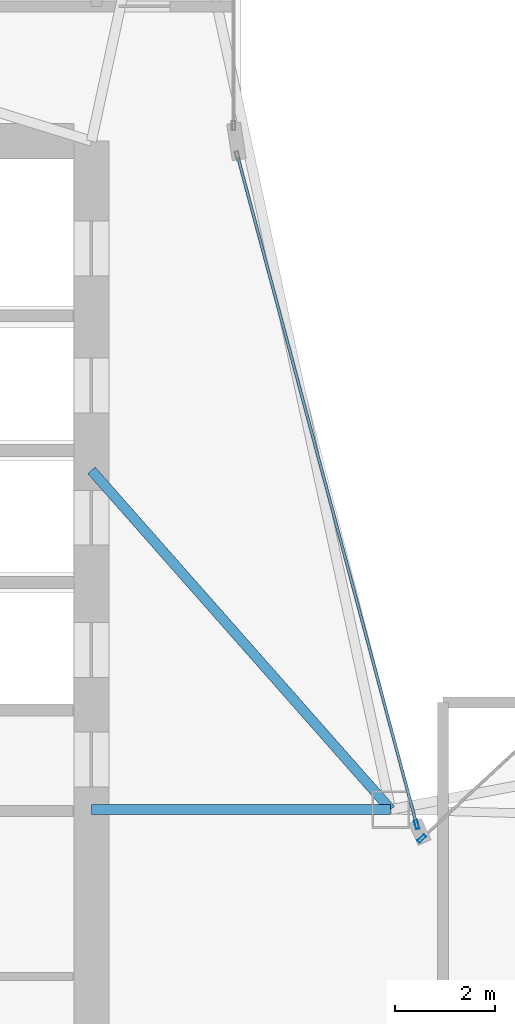
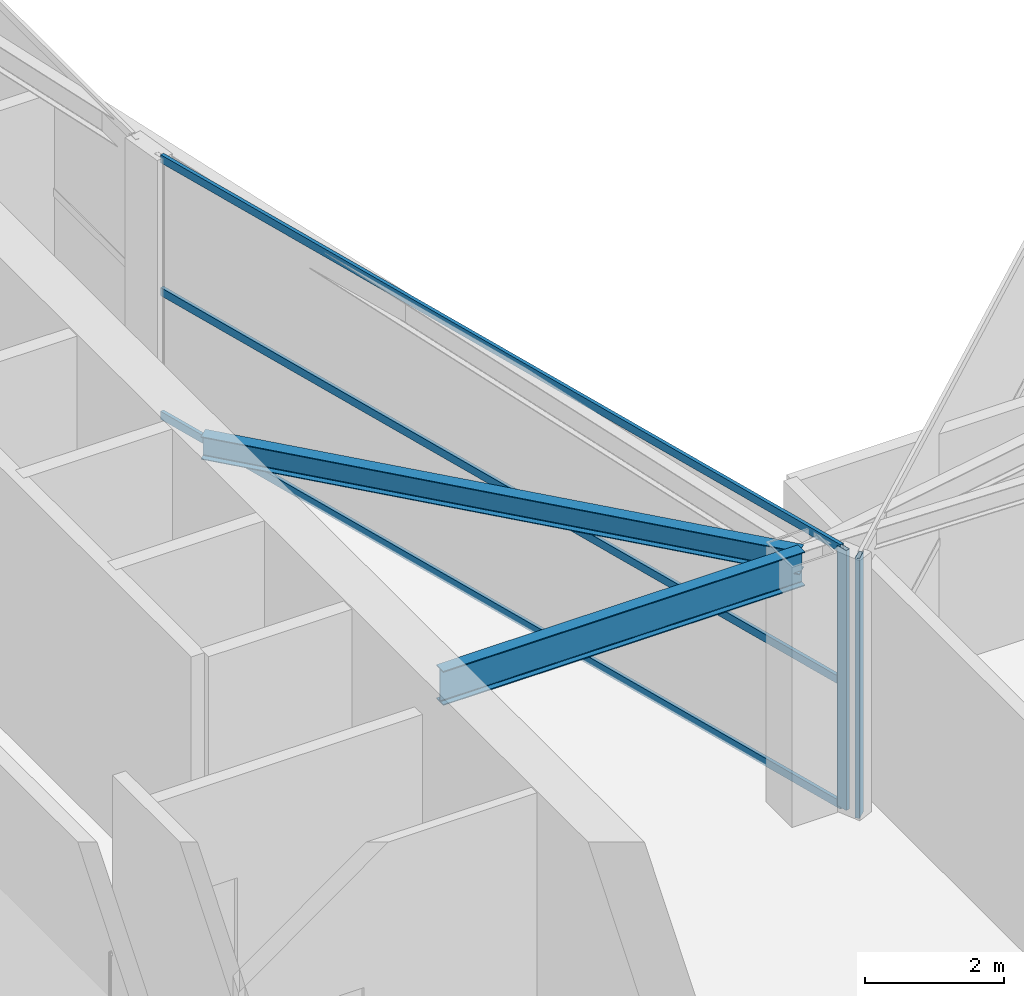
# One storey, part 2 of 16: 5 members, 2 beams, 2 elements without a shape of their own.
"""IFC4 building model written with IfcOpenShell, lengths in metres."""

import ifcopenshell
import ifcopenshell.guid

model = None  # the IFC model being written
_history = None  # IfcOwnerHistory: only IFC2X3 demands one
_inside = {}  # id of a spatial element -> (the spatial element, [elements in it])
_under = {}  # id of a project, library or spatial element -> (it, [spatial elements below it])
_declared = {}  # id of a project -> (the project, [libraries it declares])
_typed = {}  # id of a type object -> (the type object, [elements of that type])
_made_of = {}  # id of a material, layer set ... -> (it, [elements and type objects made of it])


def new_model(schema):
    """Start an empty IFC model of exactly this schema.

    Asked for "IFC4X3", IfcOpenShell would pick the latest addendum, in which some entities
    have other attributes; the version numbers below select the first issue.
    IFC2X3 requires an IfcOwnerHistory on every rooted entity: one is made here for all.
    """
    global model, _history
    if schema == "IFC4X3":
        model = ifcopenshell.file(schema_version=(4, 3, 0, 0))
    else:
        model = ifcopenshell.file(schema=schema)
    _inside.clear()
    _under.clear()
    _declared.clear()
    _typed.clear()
    _made_of.clear()
    _history = None
    if model.schema == "IFC2X3":
        org = make("IfcOrganization", Name="unknown")
        user = make(
            "IfcPersonAndOrganization",
            ThePerson=make("IfcPerson", FamilyName="unknown"),
            TheOrganization=org,
        )
        app = make(
            "IfcApplication",
            ApplicationDeveloper=org,
            Version="unknown",
            ApplicationFullName="unknown",
            ApplicationIdentifier="unknown",
        )
        _history = make(
            "IfcOwnerHistory",
            OwningUser=user,
            OwningApplication=app,
            ChangeAction="ADDED",
            CreationDate=0,
        )
    return model


def make(cls, **values):
    """One entity of the class cls with the attributes given. An attribute that is None is left unset."""
    return model.create_entity(
        cls, **{name: value for name, value in values.items() if value is not None}
    )


def rooted(cls, **values):
    """An entity with a GlobalId (a new one), such as an element, a storey or a relation."""
    return make(cls, GlobalId=ifcopenshell.guid.new(), OwnerHistory=_history, **values)


def si_unit(unit_type, name, prefix=None):
    """IfcSIUnit, for example si_unit("LENGTHUNIT", "METRE", prefix="MILLI")."""
    return make("IfcSIUnit", UnitType=unit_type, Prefix=prefix, Name=name)


def assignment(units):
    """IfcUnitAssignment: the units of a project."""
    return None if units is None else make("IfcUnitAssignment", Units=units)


def point(xyz):
    """IfcCartesianPoint."""
    return None if xyz is None else make("IfcCartesianPoint", Coordinates=xyz)


def direction(xyz):
    """IfcDirection."""
    return None if xyz is None else make("IfcDirection", DirectionRatios=xyz)


def frame(location, z_axis=None, x_axis=None):
    """IfcAxis2Placement3D, a coordinate frame: its origin and axes. An axis left out is left unset."""
    return make(
        "IfcAxis2Placement3D",
        Location=point(location),
        Axis=direction(z_axis),
        RefDirection=direction(x_axis),
    )


def frame_2d(location, x_axis=None):
    """IfcAxis2Placement2D, a coordinate frame in the plane: its origin and x axis."""
    return make(
        "IfcAxis2Placement2D", Location=point(location), RefDirection=direction(x_axis)
    )


def origin():
    """The frame at (0, 0, 0) with its axes left unset."""
    return frame((0.0, 0.0, 0.0))


def origin_2d():
    """The frame at (0, 0) in the plane with its x axis left unset."""
    return frame_2d((0.0, 0.0))


def place(relative_to, where):
    """IfcLocalPlacement: puts the frame where relative to a parent placement (None: the world)."""
    return make(
        "IfcLocalPlacement", PlacementRelTo=relative_to, RelativePlacement=where
    )


def context(
    kind, dimensions, precision=None, world=None, true_north=None, identifier=None
):
    """IfcGeometricRepresentationContext, for example the 3D "Model" context."""
    return make(
        "IfcGeometricRepresentationContext",
        ContextIdentifier=identifier,
        ContextType=kind,
        CoordinateSpaceDimension=dimensions,
        Precision=precision,
        WorldCoordinateSystem=world,
        TrueNorth=true_north,
    )


def subcontext(parent, identifier, kind, view, scale=None):
    """IfcGeometricRepresentationSubContext, for example "Body" below "Model"."""
    return make(
        "IfcGeometricRepresentationSubContext",
        ContextIdentifier=identifier,
        ContextType=kind,
        ParentContext=parent,
        TargetScale=scale,
        TargetView=view,
    )


def project(units=None, contexts=None):
    """IfcProject with its units and contexts."""
    return rooted(
        "IfcProject",
        Name="project",
        RepresentationContexts=contexts,
        UnitsInContext=assignment(units),
    )


def spatial(cls, under=None, at=None, **own):
    """A site, building, storey or space (cls), placed at a placement, below another one or the project."""
    s = rooted(cls, ObjectPlacement=at, **own)
    if under is not None:
        _under.setdefault(under.id(), (under, []))[1].append(s)
    return s


def profile(cls, at=None, kind="AREA", **sizes):
    """A parametric profile (cls). Its sizes go by their IFC names, for example OverallWidth=200.0."""
    return make(cls, ProfileType=kind, Position=at, **sizes)


def hollow_rectangle(**sizes):
    """IfcRectangleHollowProfileDef."""
    return profile("IfcRectangleHollowProfileDef", **sizes)


def i_section(**sizes):
    """IfcIShapeProfileDef."""
    return profile("IfcIShapeProfileDef", **sizes)


def extrude(swept, where, along, depth):
    """IfcExtrudedAreaSolid: the profile swept, set in the frame where, extruded along a direction by depth."""
    return make(
        "IfcExtrudedAreaSolid",
        SweptArea=swept,
        Position=where,
        ExtrudedDirection=direction(along),
        Depth=depth,
    )


def shape(context_of_items, identifier, shape_type, items):
    """IfcShapeRepresentation: the items that make up one representation, for example the "Body"."""
    return make(
        "IfcShapeRepresentation",
        ContextOfItems=context_of_items,
        RepresentationIdentifier=identifier,
        RepresentationType=shape_type,
        Items=items,
    )


def material(Name=None, Category=None):
    """IfcMaterial."""
    return make("IfcMaterial", Name=Name, Category=Category)


def layer(
    of_material, thickness, ventilated=None, Name=None, Category=None, Priority=None
):
    """IfcMaterialLayer: one layer of a wall or slab, of a material (None: an air gap)."""
    return make(
        "IfcMaterialLayer",
        Material=of_material,
        LayerThickness=thickness,
        IsVentilated=ventilated,
        Name=Name,
        Category=Category,
        Priority=Priority,
    )


def layer_set(layers, Name=None):
    """IfcMaterialLayerSet."""
    return make("IfcMaterialLayerSet", MaterialLayers=layers, LayerSetName=Name)


def material_profile(
    of_material, cross_section, Name=None, Category=None, Priority=None
):
    """IfcMaterialProfile: a cross section and its material."""
    return make(
        "IfcMaterialProfile",
        Name=Name,
        Material=of_material,
        Profile=cross_section,
        Priority=Priority,
        Category=Category,
    )


def profile_set(profiles, Name=None, composite=None):
    """IfcMaterialProfileSet."""
    return make(
        "IfcMaterialProfileSet",
        Name=Name,
        MaterialProfiles=profiles,
        CompositeProfile=composite,
    )


def made_of(thing, what):
    """Note that an element or type object is made of a material, layer set ...; save() writes the relation."""
    if what is not None:
        _made_of.setdefault(what.id(), (what, []))[1].append(thing)
    return thing


def type_object(cls, material=None, **own):
    """A type object (cls), such as IfcWallType, which elements share."""
    return made_of(rooted(cls, **own), material)


def element(
    cls,
    number,
    at=None,
    inside=None,
    cuts=None,
    type_object=None,
    material=None,
    context=None,
    identifier="Body",
    shape_type=None,
    held_by="IfcProductDefinitionShape",
    body=None,
    shapes=None,
    **own,
):
    """One element of the class cls, such as IfcWall. Its Tag is "e" and its number.

    at: its placement. inside: the storey or other place that contains it. cuts: it is an
    opening in that element (IfcRelVoidsElement). A single representation is given by context,
    identifier, shape_type and body (its items); several are given by shapes. held_by: the class
    of the entity that holds the representations. save() writes the other relations.
    """
    e = rooted(cls, Tag="e%d" % number, ObjectPlacement=at, **own)
    if body is not None:
        shapes = [shape(context, identifier, shape_type, body)]
    if shapes is not None:
        e.Representation = make(held_by, Representations=shapes)
    if inside is not None:
        _inside.setdefault(inside.id(), (inside, []))[1].append(e)
    if cuts is not None:
        rooted(
            "IfcRelVoidsElement", RelatingBuildingElement=cuts, RelatedOpeningElement=e
        )
    if type_object is not None:
        _typed.setdefault(type_object.id(), (type_object, []))[1].append(e)
    return made_of(e, material)


def aggregate(whole, parts):
    """IfcRelAggregates: a whole, such as a stair, and the parts it consists of."""
    return rooted("IfcRelAggregates", RelatingObject=whole, RelatedObjects=parts)


def save(model, path):
    """Write the relations noted so far, then the file.

    IfcRelAggregates (storeys below a building ...), IfcRelContainedInSpatialStructure (elements
    in a storey), IfcRelDefinesByType, IfcRelAssociatesMaterial and IfcRelDeclares: one each for
    every whole, place, type object, material and project.
    """
    for whole, parts in _under.values():
        aggregate(whole, parts)
    for where, things in _inside.values():
        rooted(
            "IfcRelContainedInSpatialStructure",
            RelatedElements=things,
            RelatingStructure=where,
        )
    for kind, things in _typed.values():
        rooted("IfcRelDefinesByType", RelatedObjects=things, RelatingType=kind)
    for what, things in _made_of.values():
        rooted("IfcRelAssociatesMaterial", RelatedObjects=things, RelatingMaterial=what)
    for by, libraries in _declared.values():
        rooted("IfcRelDeclares", RelatingContext=by, RelatedDefinitions=libraries)
    model.write(path)


model = new_model("IFC4")

# Units and contexts
model_context = context("Model", 3, precision=1e-05, world=origin(), true_north=direction((0.0, 1.0)))
body_context = subcontext(model_context, "Body", "Model", "MODEL_VIEW")
ifc_project = project(units=[si_unit("LENGTHUNIT", "METRE"), si_unit("AREAUNIT", "SQUARE_METRE"), si_unit("VOLUMEUNIT", "CUBIC_METRE"), si_unit("PLANEANGLEUNIT", "RADIAN"), si_unit("MASSUNIT", "GRAM", prefix="KILO")], contexts=[model_context])

# Site, building, storey
site_placement = place(None, origin())
site = spatial("IfcSite", under=ifc_project, at=site_placement, CompositionType="ELEMENT")
building_placement = place(site_placement, origin())
building = spatial("IfcBuilding", under=site, at=building_placement, Name="Calvorn Quay Hotel", CompositionType="ELEMENT")
storey_placement = place(building_placement, frame((0.0, 0.0, 234.5)))
storey = spatial("IfcBuildingStorey", under=building, at=storey_placement, Name="L58", CompositionType="ELEMENT", Elevation=234.5)

# Beams
ifc_material_1 = material(Name="Steel Q355B", Category="steel")
ifc_material_profile_1 = material_profile(ifc_material_1, i_section(OverallWidth=0.199951171875, OverallDepth=0.60009765625, WebThickness=0.010986328125, FlangeThickness=0.01708984375, FilletRadius=0.01806640625, at=origin_2d()), Name="HN600x200x11x17")
ifc_profile_set_1 = profile_set([ifc_material_profile_1], Name="Steel Q355B")
beam_type_1 = type_object("IfcBeamType", Name="BM-GIRD-TYP", PredefinedType="BEAM", material=ifc_profile_set_1)
beam_1_placement = place(storey_placement, frame((21.0, 25.0, 4.239990234375), z_axis=(-1.0, 0.0, 0.0), x_axis=(0.0, -1.0, 0.0)))
element("IfcBeam", 1, at=beam_1_placement, inside=storey, type_object=beam_type_1, Name="Beam BG-L58-W7", PredefinedType="BEAM", context=body_context, shape_type="SweptSolid", body=[
    extrude(i_section(OverallWidth=0.199951171875, OverallDepth=0.60009765625, WebThickness=0.010986328125, FlangeThickness=0.01708984375, FilletRadius=0.01806640625, at=origin_2d()), origin(), (0.0, 0.0, 1.0), 6.0),
])
ifc_material_2 = material(Name="Steel Q355B", Category="steel")
ifc_material_profile_2 = material_profile(ifc_material_2, i_section(OverallWidth=0.199951171875, OverallDepth=0.39990234375, WebThickness=0.008056640625, FlangeThickness=0.012939453125, FilletRadius=0.01611328125, at=origin_2d()), Name="HN400x200x8x13")
ifc_profile_set_2 = profile_set([ifc_material_profile_2], Name="Steel Q355B")
beam_type_2 = type_object("IfcBeamType", Name="BM-JOIST-TYP", PredefinedType="JOIST", material=ifc_profile_set_2)
beam_2_placement = place(storey_placement, frame((15.0, 31.800048828125, 4.340087890625), z_axis=(0.661618965899, -0.749840212287, 0.0), x_axis=(0.749840212287, 0.661618965899, 0.0)))
element("IfcBeam", 2, at=beam_2_placement, inside=storey, type_object=beam_type_2, Name="Beam BJ-L58-C1", PredefinedType="JOIST", context=body_context, shape_type="SweptSolid", body=[
    extrude(i_section(OverallWidth=0.199951171875, OverallDepth=0.39990234375, WebThickness=0.008056640625, FlangeThickness=0.012939453125, FilletRadius=0.01611328125, at=origin_2d()), origin(), (0.0, 0.0, 1.0), 9.068603515625),
])

# Curtain wall, member
ifc_material_3 = material(Name="Champagne Bronze Anodised Aluminium and Low-E Glass", Category="aluminium")
ifc_layer = layer(ifc_material_3, 0.219970703125)
ifc_layer_set = layer_set([ifc_layer], Name="CW-SYS-Z3")
curtain_wall_type = type_object("IfcCurtainWallType", Name="CW-SYS-Z3", PredefinedType="NOTDEFINED", material=ifc_layer_set)
curtain_wall_1_placement = place(storey_placement, origin())
curtain_wall_1 = element("IfcCurtainWall", 3, at=curtain_wall_1_placement, inside=storey, type_object=curtain_wall_type, Name="Inner Court Curtain Wall L58-NE1", PredefinedType="NOTDEFINED")
ifc_material_4 = material(Name="Champagne Bronze Anodised Aluminium 6063-T6", Category="aluminium")
ifc_material_profile_3 = material_profile(ifc_material_4, hollow_rectangle(XDim=0.068115234375, YDim=0.18505859375, WallThickness=0.00390625, at=origin_2d()), Name="ALU-M185x68x4")
ifc_profile_set_3 = profile_set([ifc_material_profile_3], Name="Champagne Bronze Anodised Aluminium 6063-T6")
member_type_1 = type_object("IfcMemberType", Name="CW-SYS-Z3-MUL", PredefinedType="MULLION", material=ifc_profile_set_3)
member_1_placement = place(storey_placement, frame((21.6220703125, 24.42041015625, 0.0), z_axis=(0.0, 0.0, 1.0), x_axis=(0.681603655102, -0.731721570922, 0.0)))
member_1 = element("IfcMember", 4, at=member_1_placement, type_object=member_type_1, Name="CW-L58-NE1 mullion 3", PredefinedType="MULLION", context=body_context, shape_type="SweptSolid", body=[
    extrude(hollow_rectangle(XDim=0.068115234375, YDim=0.18505859375, WallThickness=0.00390625, at=origin_2d()), origin(), (0.0, 0.0, 1.0), 4.56005859375),
])
aggregate(curtain_wall_1, [member_1])

# Curtain wall, members
curtain_wall_2_placement = place(storey_placement, origin())
curtain_wall_2 = element("IfcCurtainWall", 5, at=curtain_wall_2_placement, inside=storey, type_object=curtain_wall_type, Name="Inner Court Curtain Wall L58-IC1", PredefinedType="NOTDEFINED")
member_2_placement = place(storey_placement, frame((21.520263671875, 24.698974609375, 0.0), z_axis=(0.0, 0.0, 1.0), x_axis=(-0.96593652056, -0.25877913024, 0.0)))
member_2 = element("IfcMember", 6, at=member_2_placement, type_object=member_type_1, Name="CW-L58-IC1 mullion 1", PredefinedType="MULLION", context=body_context, shape_type="SweptSolid", body=[
    extrude(hollow_rectangle(XDim=0.068115234375, YDim=0.18505859375, WallThickness=0.00390625, at=origin_2d()), origin(), (0.0, 0.0, 1.0), 4.56005859375),
])
ifc_material_5 = material(Name="Champagne Bronze Anodised Aluminium 6063-T6", Category="aluminium")
ifc_material_profile_4 = material_profile(ifc_material_5, hollow_rectangle(XDim=0.05810546875, YDim=0.139892578125, WallThickness=0.003173828125, at=origin_2d()), Name="ALU-T140x58x3.2")
ifc_profile_set_4 = profile_set([ifc_material_profile_4], Name="Champagne Bronze Anodised Aluminium 6063-T6")
member_type_2 = type_object("IfcMemberType", Name="CW-SYS-Z3-TRN", PredefinedType="USERDEFINED", material=ifc_profile_set_4)
member_3_placement = place(storey_placement, frame((21.512451171875, 24.72802734375, 0.030029296875), z_axis=(-0.258781136883, 0.965935982969, 0.0), x_axis=(-0.965935982969, -0.258781136883, 0.0)))
member_3 = element("IfcMember", 7, at=member_3_placement, type_object=member_type_2, Name="CW-L58-IC1 transom 1.1", ObjectType="TRANSOM", PredefinedType="USERDEFINED", context=body_context, shape_type="SweptSolid", body=[
    extrude(hollow_rectangle(XDim=0.05810546875, YDim=0.139892578125, WallThickness=0.003173828125, at=origin_2d()), origin(), (0.0, 0.0, 1.0), 13.814453125),
])
member_4_placement = place(storey_placement, frame((21.512451171875, 24.72802734375, 2.199951171875), z_axis=(-0.258781136883, 0.965935982969, 0.0), x_axis=(-0.965935982969, -0.258781136883, 0.0)))
member_4 = element("IfcMember", 8, at=member_4_placement, type_object=member_type_2, Name="CW-L58-IC1 transom 1.2", ObjectType="TRANSOM", PredefinedType="USERDEFINED", context=body_context, shape_type="SweptSolid", body=[
    extrude(hollow_rectangle(XDim=0.05810546875, YDim=0.139892578125, WallThickness=0.003173828125, at=origin_2d()), origin(), (0.0, 0.0, 1.0), 13.814453125),
])
member_5_placement = place(storey_placement, frame((21.512451171875, 24.72802734375, 4.530029296875), z_axis=(-0.258781136883, 0.965935982969, 0.0), x_axis=(-0.965935982969, -0.258781136883, 0.0)))
member_5 = element("IfcMember", 9, at=member_5_placement, type_object=member_type_2, Name="CW-L58-IC1 transom 1.3", ObjectType="TRANSOM", PredefinedType="USERDEFINED", context=body_context, shape_type="SweptSolid", body=[
    extrude(hollow_rectangle(XDim=0.05810546875, YDim=0.139892578125, WallThickness=0.003173828125, at=origin_2d()), origin(), (0.0, 0.0, 1.0), 13.814453125),
])
aggregate(curtain_wall_2, [member_2, member_3, member_4, member_5])

save(model, "model.ifc")
